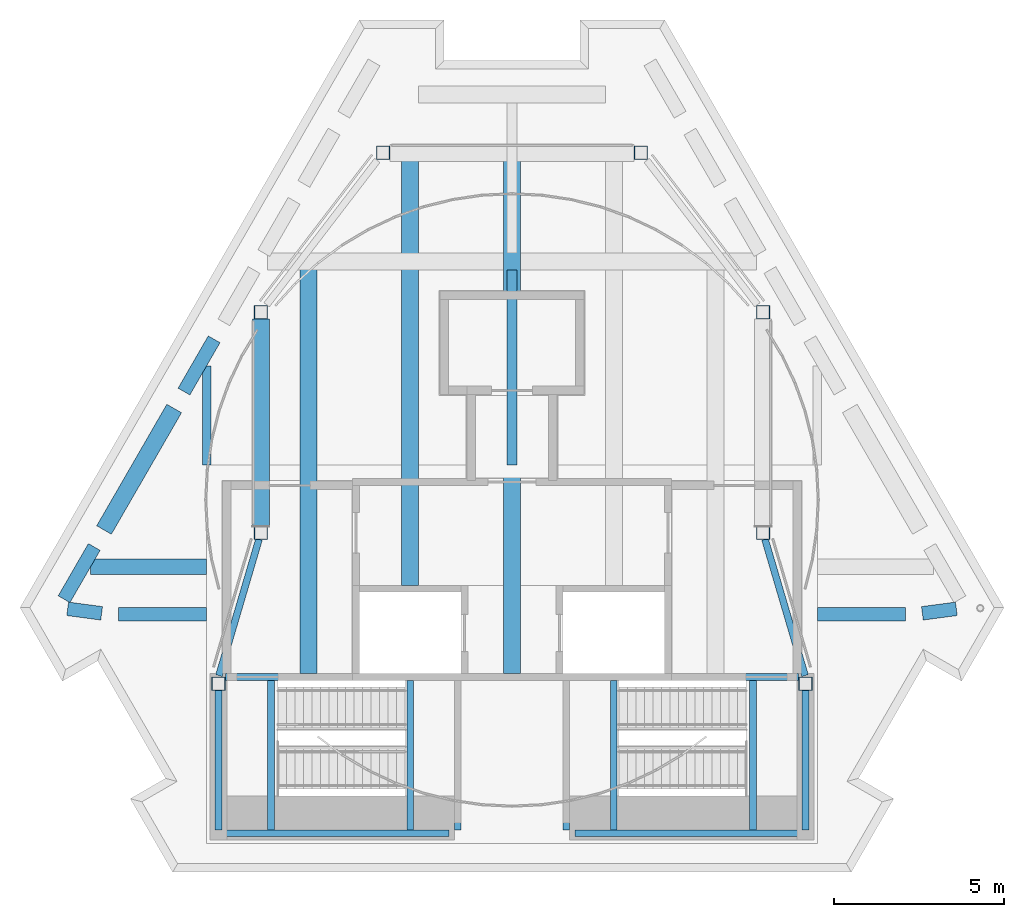
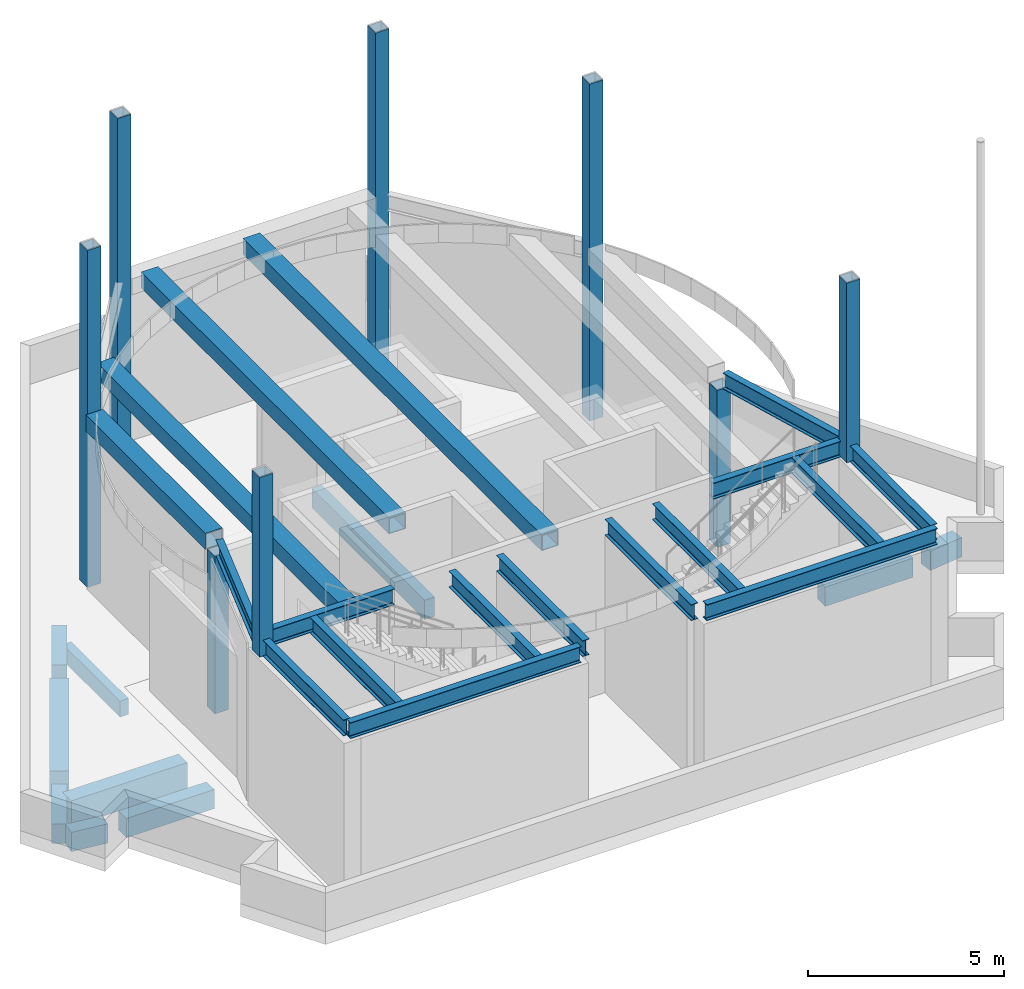
# One storey, part 1 of 6: 28 beams, 8 columns.
"""IFC4 building model written with IfcOpenShell, lengths in metres."""

from ifc_helpers import new_model, si_unit, direction, frame, origin, origin_2d, place, context, subcontext, project, spatial, rectangle, hollow_rectangle, i_section, extrude, material, material_profile, profile_set, type_object, element, save


model = new_model("IFC4")

# Units and contexts
model_context = context("Model", 3, precision=1e-05, world=origin(), true_north=direction((0.0, 1.0)))
body_context = subcontext(model_context, "Body", "Model", "MODEL_VIEW")
ifc_project = project(units=[si_unit("LENGTHUNIT", "METRE"), si_unit("AREAUNIT", "SQUARE_METRE"), si_unit("VOLUMEUNIT", "CUBIC_METRE"), si_unit("PLANEANGLEUNIT", "RADIAN"), si_unit("MASSUNIT", "GRAM", prefix="KILO")], contexts=[model_context])

# Site, building, storey
site_placement = place(None, origin())
site = spatial("IfcSite", under=ifc_project, at=site_placement, CompositionType="ELEMENT")
building_placement = place(site_placement, origin())
building = spatial("IfcBuilding", under=site, at=building_placement, Name="Fogline Exchange Tower", CompositionType="ELEMENT")
storey_placement = place(building_placement, frame((0.0, 0.0, 363.60009765625)))
storey = spatial("IfcBuildingStorey", under=building, at=storey_placement, Name="RF", CompositionType="ELEMENT", Elevation=363.60009765625)

# Columns
ifc_material_1 = material(Name="Steel Q355 grade B", Category="steel")
ifc_material_profile_1 = material_profile(ifc_material_1, hollow_rectangle(XDim=0.39990234375, YDim=0.39990234375, WallThickness=0.02001953125, at=origin_2d()), Name="RHS 400x400x20")
ifc_profile_set_1 = profile_set([ifc_material_profile_1], Name="Steel Q355 grade B")
column_type = type_object("IfcColumnType", Name="HC1", PredefinedType="COLUMN", material=ifc_profile_set_1)
for number, where, z_axis, x_axis, name in (
    (1, (-8.64990234375, 5.550048828125, 4.89990234375), (0.0, 0.0, 1.0), (1.0, 0.0, 0.0), "Helipad support"),
    (2, (8.64990234375, 5.550048828125, 4.89990234375), (0.0, 0.0, 1.0), (1.0, 0.0, 0.0), "Helipad support"),
):
    element("IfcColumn", number, at=place(storey_placement, frame(where, z_axis=z_axis, x_axis=x_axis)), inside=storey, type_object=column_type, Name=name, PredefinedType="COLUMN", context=body_context, shape_type="SweptSolid", body=[
        extrude(hollow_rectangle(XDim=0.39990234375, YDim=0.39990234375, WallThickness=0.02001953125, at=origin_2d()), origin(), (0.0, 0.0, 1.0), 5.60009765625),
    ])
column_1_placement = place(storey_placement, frame((-7.39990234375, 10.0, 0.0), z_axis=(0.0, 0.0, 1.0), x_axis=(1.0, 0.0, 0.0)))
element("IfcColumn", 3, at=column_1_placement, inside=storey, type_object=column_type, Name="Helipad support", PredefinedType="COLUMN", context=body_context, shape_type="SweptSolid", body=[
    extrude(hollow_rectangle(XDim=0.39990234375, YDim=0.39990234375, WallThickness=0.02001953125, at=origin_2d()), origin(), (0.0, 0.0, 1.0), 4.89990234375),
])
for number, where, z_axis, x_axis, name in (
    (4, (-7.39990234375, 16.5, 0.0), (0.0, 0.0, 1.0), (1.0, 0.0, 0.0), "Helipad support"),
    (5, (-3.800048828125, 21.199951171875, 0.0), (0.0, 0.0, 1.0), (1.0, 0.0, 0.0), "Helipad support"),
):
    element("IfcColumn", number, at=place(storey_placement, frame(where, z_axis=z_axis, x_axis=x_axis)), inside=storey, type_object=column_type, Name=name, PredefinedType="COLUMN", context=body_context, shape_type="SweptSolid", body=[
        extrude(hollow_rectangle(XDim=0.39990234375, YDim=0.39990234375, WallThickness=0.02001953125, at=origin_2d()), origin(), (0.0, 0.0, 1.0), 10.5),
    ])
column_2_placement = place(storey_placement, frame((7.39990234375, 10.0, 0.0), z_axis=(0.0, 0.0, 1.0), x_axis=(1.0, 0.0, 0.0)))
element("IfcColumn", 6, at=column_2_placement, inside=storey, type_object=column_type, Name="Helipad support", PredefinedType="COLUMN", context=body_context, shape_type="SweptSolid", body=[
    extrude(hollow_rectangle(XDim=0.39990234375, YDim=0.39990234375, WallThickness=0.02001953125, at=origin_2d()), origin(), (0.0, 0.0, 1.0), 4.89990234375),
])
for number, where, z_axis, x_axis, name in (
    (7, (7.39990234375, 16.5, 0.0), (0.0, 0.0, 1.0), (1.0, 0.0, 0.0), "Helipad support"),
    (8, (3.800048828125, 21.199951171875, 0.0), (0.0, 0.0, 1.0), (1.0, 0.0, 0.0), "Helipad support"),
):
    element("IfcColumn", number, at=place(storey_placement, frame(where, z_axis=z_axis, x_axis=x_axis)), inside=storey, type_object=column_type, Name=name, PredefinedType="COLUMN", context=body_context, shape_type="SweptSolid", body=[
        extrude(hollow_rectangle(XDim=0.39990234375, YDim=0.39990234375, WallThickness=0.02001953125, at=origin_2d()), origin(), (0.0, 0.0, 1.0), 10.5),
    ])

# Beams
ifc_material_2 = material(Name="Concrete C40", Category="concrete")
ifc_material_profile_2 = material_profile(ifc_material_2, rectangle(XDim=0.300048828125, YDim=0.60009765625, at=origin_2d()), Name="RC 300x600")
ifc_profile_set_2 = profile_set([ifc_material_profile_2], Name="Concrete C40")
beam_type_1 = type_object("IfcBeamType", Name="B06", PredefinedType="BEAM", material=ifc_profile_set_2)
beam_1_placement = place(storey_placement, frame((0.0, 12.0, -0.7001953125), z_axis=(0.0, 1.0, 0.0), x_axis=(-1.0, 0.0, 0.0)))
element("IfcBeam", 9, at=beam_1_placement, inside=storey, type_object=beam_type_1, Name="SB002", PredefinedType="BEAM", context=body_context, shape_type="SweptSolid", body=[
    extrude(rectangle(XDim=0.300048828125, YDim=0.60009765625, at=origin_2d()), origin(), (0.0, 0.0, 1.0), 5.75),
])
ifc_material_profile_3 = material_profile(ifc_material_2, rectangle(XDim=0.25, YDim=0.5, at=origin_2d()), Name="RC 250x500")
ifc_profile_set_3 = profile_set([ifc_material_profile_3], Name="Concrete C40")
beam_type_2 = type_object("IfcBeamType", Name="B08", PredefinedType="BEAM", material=ifc_profile_set_3)
beam_2_placement = place(storey_placement, frame((-9.0, 12.0, -0.650146484375), z_axis=(0.0, 1.0, 0.0), x_axis=(-1.0, 0.0, 0.0)))
element("IfcBeam", 10, at=beam_2_placement, inside=storey, type_object=beam_type_2, Name="SB001", PredefinedType="BEAM", context=body_context, shape_type="SweptSolid", body=[
    extrude(rectangle(XDim=0.25, YDim=0.5, at=origin_2d()), origin(), (0.0, 0.0, 1.0), 2.92041015625),
])
ifc_material_profile_4 = material_profile(ifc_material_2, rectangle(XDim=0.5, YDim=0.800048828125, at=origin_2d()), Name="RC 500x800")
ifc_profile_set_4 = profile_set([ifc_material_profile_4], Name="Concrete C40")
beam_type_3 = type_object("IfcBeamType", Name="B10", PredefinedType="BEAM", material=ifc_profile_set_4)
beam_3_placement = place(storey_placement, frame((-9.9560546875, 13.664306640625, -0.800048828125), z_axis=(-0.500032583525, -0.86600659086, 0.0), x_axis=(0.86600659086, -0.500032583525, 0.0)))
element("IfcBeam", 11, at=beam_3_placement, inside=storey, type_object=beam_type_3, Name="RB018", PredefinedType="BEAM", context=body_context, shape_type="SweptSolid", body=[
    extrude(rectangle(XDim=0.5, YDim=0.800048828125, at=origin_2d()), origin(), (0.0, 0.0, 1.0), 4.134033203125),
])
ifc_material_profile_5 = material_profile(ifc_material_2, rectangle(XDim=0.39990234375, YDim=0.60009765625, at=origin_2d()), Name="RC 400x600")
ifc_profile_set_5 = profile_set([ifc_material_profile_5], Name="Concrete C40")
beam_type_4 = type_object("IfcBeamType", Name="B11", PredefinedType="BEAM", material=ifc_profile_set_5)
beam_4_placement = place(storey_placement, frame((-13.09521484375, 7.760986328125, -0.7001953125), z_axis=(0.991335320282, -0.131355558544, 0.0), x_axis=(0.131355558544, 0.991335320282, 0.0)))
element("IfcBeam", 12, at=beam_4_placement, inside=storey, type_object=beam_type_4, Name="RB001", PredefinedType="BEAM", context=body_context, shape_type="SweptSolid", body=[
    extrude(rectangle(XDim=0.39990234375, YDim=0.60009765625, at=origin_2d()), origin(), (0.0, 0.0, 1.0), 1.00927734375),
])
for number, where, z_axis, x_axis, name in (
    (13, (-11.5947265625, 7.59521484375, -0.7001953125), (1.0, 0.0, 0.0), (0.0, 1.0, 0.0), "RB002"),
    (14, (9.0, 7.59521484375, -0.7001953125), (1.0, 0.0, 0.0), (0.0, 1.0, 0.0), "RB003"),
):
    element("IfcBeam", number, at=place(storey_placement, frame(where, z_axis=z_axis, x_axis=x_axis)), inside=storey, type_object=beam_type_4, Name=name, PredefinedType="BEAM", context=body_context, shape_type="SweptSolid", body=[
        extrude(rectangle(XDim=0.39990234375, YDim=0.60009765625, at=origin_2d()), origin(), (0.0, 0.0, 1.0), 2.5947265625),
    ])
beam_5_placement = place(storey_placement, frame((12.0947265625, 7.62841796875, -0.7001953125), z_axis=(0.991335320282, 0.131355558544, 0.0), x_axis=(-0.131355558544, 0.991335320282, 0.0)))
element("IfcBeam", 15, at=beam_5_placement, inside=storey, type_object=beam_type_4, Name="RB004", PredefinedType="BEAM", context=body_context, shape_type="SweptSolid", body=[
    extrude(rectangle(XDim=0.39990234375, YDim=0.60009765625, at=origin_2d()), origin(), (0.0, 0.0, 1.0), 1.00927734375),
])
beam_6_placement = place(storey_placement, frame((-8.7783203125, 15.70458984375, -0.7001953125), z_axis=(-0.499948228488, -0.866055292018, 0.0), x_axis=(0.866055292018, -0.499948228488, 0.0)))
element("IfcBeam", 16, at=beam_6_placement, inside=storey, type_object=beam_type_4, Name="RB017", PredefinedType="BEAM", context=body_context, shape_type="SweptSolid", body=[
    extrude(rectangle(XDim=0.39990234375, YDim=0.60009765625, at=origin_2d()), origin(), (0.0, 0.0, 1.0), 1.778564453125),
])
beam_7_placement = place(storey_placement, frame((-12.311767578125, 9.584228515625, -0.7001953125), z_axis=(-0.500007671222, -0.866020974757, 0.0), x_axis=(0.866020974757, -0.500007671222, 0.0)))
element("IfcBeam", 17, at=beam_7_placement, inside=storey, type_object=beam_type_4, Name="RB019", PredefinedType="BEAM", context=body_context, shape_type="SweptSolid", body=[
    extrude(rectangle(XDim=0.39990234375, YDim=0.60009765625, at=origin_2d()), origin(), (0.0, 0.0, 1.0), 1.7783203125),
])
ifc_material_profile_6 = material_profile(ifc_material_2, rectangle(XDim=0.449951171875, YDim=0.800048828125, at=origin_2d()), Name="RC 450x800")
ifc_profile_set_6 = profile_set([ifc_material_profile_6], Name="Concrete C40")
beam_type_5 = type_object("IfcBeamType", Name="B18", PredefinedType="BEAM", material=ifc_profile_set_6)
beam_8_placement = place(storey_placement, frame((-12.418212890625, 9.0, -0.800048828125), z_axis=(1.0, 0.0, 0.0), x_axis=(0.0, 1.0, 0.0)))
element("IfcBeam", 18, at=beam_8_placement, inside=storey, type_object=beam_type_5, Name="GB001", PredefinedType="BEAM", context=body_context, shape_type="SweptSolid", body=[
    extrude(rectangle(XDim=0.449951171875, YDim=0.800048828125, at=origin_2d()), origin(), (0.0, 0.0, 1.0), 3.418212890625),
])
ifc_material_profile_7 = material_profile(ifc_material_1, i_section(OverallWidth=0.199951171875, OverallDepth=0.5, WebThickness=0.010009765625, FlangeThickness=0.01611328125, FilletRadius=0.02001953125, at=origin_2d()), Name="HN500X200X10X16")
ifc_profile_set_7 = profile_set([ifc_material_profile_7], Name="Steel Q355 grade B")
beam_type_6 = type_object("IfcBeamType", Name="HB1", PredefinedType="BEAM", material=ifc_profile_set_7)
for number, where, z_axis, x_axis, name in (
    (19, (-8.449951171875, 5.75, 5.14990234375), (1.0, 0.0, 0.0), (0.0, 1.0, 0.0), "Helipad beam"),
    (20, (4.699951171875, 5.75, 5.14990234375), (1.0, 0.0, 0.0), (0.0, 1.0, 0.0), "Helipad beam"),
):
    element("IfcBeam", number, at=place(storey_placement, frame(where, z_axis=z_axis, x_axis=x_axis)), inside=storey, type_object=beam_type_6, Name=name, PredefinedType="BEAM", context=body_context, shape_type="SweptSolid", body=[
        extrude(i_section(OverallWidth=0.199951171875, OverallDepth=0.5, WebThickness=0.010009765625, FlangeThickness=0.01611328125, FilletRadius=0.02001953125, at=origin_2d()), origin(), (0.0, 0.0, 1.0), 3.75),
    ])
for number, where, z_axis, x_axis, name in (
    (21, (-8.64990234375, 1.14990234375, 5.14990234375), (1.0, 0.0, 0.0), (0.0, 1.0, 0.0), "Helipad beam"),
    (22, (1.85009765625, 1.14990234375, 5.14990234375), (1.0, 0.0, 0.0), (0.0, 1.0, 0.0), "Helipad beam"),
):
    element("IfcBeam", number, at=place(storey_placement, frame(where, z_axis=z_axis, x_axis=x_axis)), inside=storey, type_object=beam_type_6, Name=name, PredefinedType="BEAM", context=body_context, shape_type="SweptSolid", body=[
        extrude(i_section(OverallWidth=0.199951171875, OverallDepth=0.5, WebThickness=0.010009765625, FlangeThickness=0.01611328125, FilletRadius=0.02001953125, at=origin_2d()), origin(), (0.0, 0.0, 1.0), 6.7998046875),
    ])
beam_9_placement = place(storey_placement, frame((-8.64990234375, 1.25, 5.14990234375), z_axis=(0.0, 1.0, 0.0), x_axis=(-1.0, 0.0, 0.0)))
element("IfcBeam", 23, at=beam_9_placement, inside=storey, type_object=beam_type_6, Name="Helipad beam", PredefinedType="BEAM", context=body_context, shape_type="SweptSolid", body=[
    extrude(i_section(OverallWidth=0.199951171875, OverallDepth=0.5, WebThickness=0.010009765625, FlangeThickness=0.01611328125, FilletRadius=0.02001953125, at=origin_2d()), origin(), (0.0, 0.0, 1.0), 4.10009765625),
])
for number, where, z_axis, x_axis, name in (
    (24, (-1.60009765625, 1.25, 5.14990234375), (0.0, 1.0, 0.0), (-1.0, 0.0, 0.0), "Helipad beam"),
    (25, (-7.10009765625, 1.25, 5.14990234375), (0.0, 1.0, 0.0), (-1.0, 0.0, 0.0), "Helipad beam"),
    (26, (-3.0, 1.25, 5.14990234375), (0.0, 1.0, 0.0), (-1.0, 0.0, 0.0), "Helipad beam"),
):
    element("IfcBeam", number, at=place(storey_placement, frame(where, z_axis=z_axis, x_axis=x_axis)), inside=storey, type_object=beam_type_6, Name=name, PredefinedType="BEAM", context=body_context, shape_type="SweptSolid", body=[
        extrude(i_section(OverallWidth=0.199951171875, OverallDepth=0.5, WebThickness=0.010009765625, FlangeThickness=0.01611328125, FilletRadius=0.02001953125, at=origin_2d()), origin(), (0.0, 0.0, 1.0), 4.39990234375),
    ])
beam_10_placement = place(storey_placement, frame((8.64990234375, 1.25, 5.14990234375), z_axis=(0.0, 1.0, 0.0), x_axis=(-1.0, 0.0, 0.0)))
element("IfcBeam", 27, at=beam_10_placement, inside=storey, type_object=beam_type_6, Name="Helipad beam", PredefinedType="BEAM", context=body_context, shape_type="SweptSolid", body=[
    extrude(i_section(OverallWidth=0.199951171875, OverallDepth=0.5, WebThickness=0.010009765625, FlangeThickness=0.01611328125, FilletRadius=0.02001953125, at=origin_2d()), origin(), (0.0, 0.0, 1.0), 4.10009765625),
])
for number, where, z_axis, x_axis, name in (
    (28, (1.60009765625, 1.25, 5.14990234375), (0.0, 1.0, 0.0), (-1.0, 0.0, 0.0), "Helipad beam"),
    (29, (7.10009765625, 1.25, 5.14990234375), (0.0, 1.0, 0.0), (-1.0, 0.0, 0.0), "Helipad beam"),
    (30, (3.0, 1.25, 5.14990234375), (0.0, 1.0, 0.0), (-1.0, 0.0, 0.0), "Helipad beam"),
):
    element("IfcBeam", number, at=place(storey_placement, frame(where, z_axis=z_axis, x_axis=x_axis)), inside=storey, type_object=beam_type_6, Name=name, PredefinedType="BEAM", context=body_context, shape_type="SweptSolid", body=[
        extrude(i_section(OverallWidth=0.199951171875, OverallDepth=0.5, WebThickness=0.010009765625, FlangeThickness=0.01611328125, FilletRadius=0.02001953125, at=origin_2d()), origin(), (0.0, 0.0, 1.0), 4.39990234375),
    ])
for number, where, z_axis, x_axis, name in (
    (31, (8.63720703125, 5.793701171875, 5.14990234375), (-0.282210546311, 0.959352493899, 0.0), (-0.959352493899, -0.282210546311, 0.0), "Helipad beam"),
    (32, (-7.456298828125, 9.80810546875, 5.14990234375), (-0.282210546311, -0.959352493899, 0.0), (0.959352493899, -0.282210546311, 0.0), "Helipad beam"),
):
    element("IfcBeam", number, at=place(storey_placement, frame(where, z_axis=z_axis, x_axis=x_axis)), inside=storey, type_object=beam_type_6, Name=name, PredefinedType="BEAM", context=body_context, shape_type="SweptSolid", body=[
        extrude(i_section(OverallWidth=0.199951171875, OverallDepth=0.5, WebThickness=0.010009765625, FlangeThickness=0.01611328125, FilletRadius=0.02001953125, at=origin_2d()), origin(), (0.0, 0.0, 1.0), 4.1845703125),
    ])
ifc_material_profile_8 = material_profile(ifc_material_1, hollow_rectangle(XDim=0.5, YDim=0.5, WallThickness=0.02490234375, at=origin_2d()), Name="BOX500X500X25")
ifc_profile_set_8 = profile_set([ifc_material_profile_8], Name="Steel Q355 grade B")
beam_type_7 = type_object("IfcBeamType", Name="HB2", PredefinedType="BEAM", material=ifc_profile_set_8)
beam_11_placement = place(storey_placement, frame((-7.39990234375, 16.2998046875, 5.14990234375), z_axis=(0.0, -1.0, 0.0), x_axis=(1.0, 0.0, 0.0)))
element("IfcBeam", 33, at=beam_11_placement, inside=storey, type_object=beam_type_7, Name="Helipad beam", PredefinedType="BEAM", context=body_context, shape_type="SweptSolid", body=[
    extrude(hollow_rectangle(XDim=0.5, YDim=0.5, WallThickness=0.02490234375, at=origin_2d()), origin(), (0.0, 0.0, 1.0), 6.099853515625),
])
beam_12_placement = place(storey_placement, frame((-6.0, 5.85009765625, 5.14990234375), z_axis=(0.0, 1.0, 0.0), x_axis=(-1.0, 0.0, 0.0)))
element("IfcBeam", 34, at=beam_12_placement, inside=storey, type_object=beam_type_7, Name="Helipad cross beam", PredefinedType="BEAM", context=body_context, shape_type="SweptSolid", body=[
    extrude(hollow_rectangle(XDim=0.5, YDim=0.5, WallThickness=0.02490234375, at=origin_2d()), origin(), (0.0, 0.0, 1.0), 12.313232421875),
])
beam_13_placement = place(storey_placement, frame((-3.0, 8.449951171875, 5.14990234375), z_axis=(0.0, 1.0, 0.0), x_axis=(-1.0, 0.0, 0.0)))
element("IfcBeam", 35, at=beam_13_placement, inside=storey, type_object=beam_type_7, Name="Helipad cross beam", PredefinedType="BEAM", context=body_context, shape_type="SweptSolid", body=[
    extrude(hollow_rectangle(XDim=0.5, YDim=0.5, WallThickness=0.02490234375, at=origin_2d()), origin(), (0.0, 0.0, 1.0), 12.650146484375),
])
beam_14_placement = place(storey_placement, frame((0.0, 5.85009765625, 5.14990234375), z_axis=(0.0, 1.0, 0.0), x_axis=(-1.0, 0.0, 0.0)))
element("IfcBeam", 36, at=beam_14_placement, inside=storey, type_object=beam_type_7, Name="Helipad cross beam", PredefinedType="BEAM", context=body_context, shape_type="SweptSolid", body=[
    extrude(hollow_rectangle(XDim=0.5, YDim=0.5, WallThickness=0.02490234375, at=origin_2d()), origin(), (0.0, 0.0, 1.0), 15.25),
])

save(model, "model.ifc")
